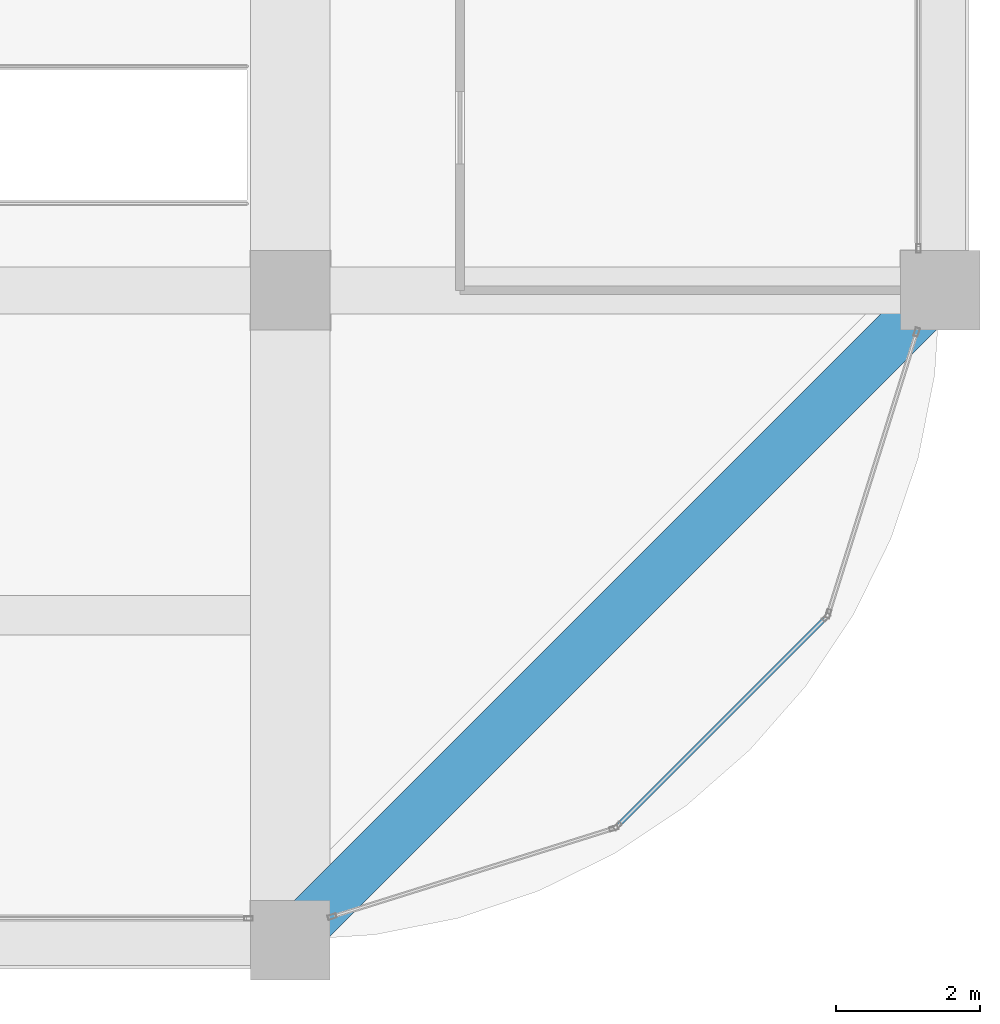
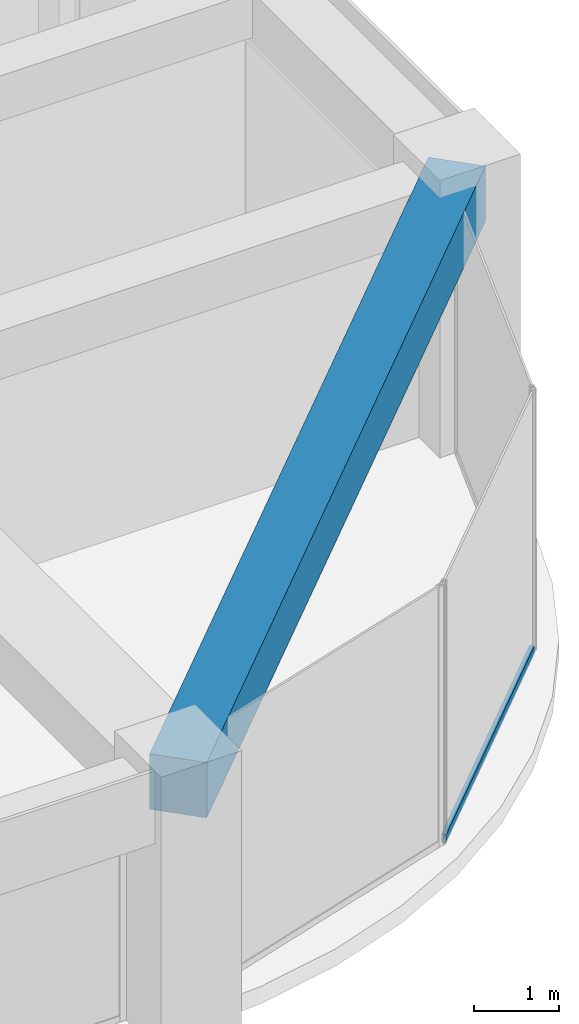
# One storey, part 19 of 44: 1 beam, 1 member, 1 element without a shape of its own.
"""IFC4 building model written with IfcOpenShell, lengths in metres."""

from ifc_helpers import new_model, si_unit, direction, frame, origin, origin_2d, place, context, subcontext, project, spatial, rectangle, hollow_rectangle, extrude, material, material_profile, profile_set, type_object, element, aggregate, save


model = new_model("IFC4")

# Units and contexts
model_context = context("Model", 3, precision=1e-05, world=origin(), true_north=direction((0.0, 1.0)))
body_context = subcontext(model_context, "Body", "Model", "MODEL_VIEW")
ifc_project = project(units=[si_unit("LENGTHUNIT", "METRE"), si_unit("AREAUNIT", "SQUARE_METRE"), si_unit("VOLUMEUNIT", "CUBIC_METRE"), si_unit("PLANEANGLEUNIT", "RADIAN"), si_unit("MASSUNIT", "GRAM", prefix="KILO")], contexts=[model_context])

# Site, building, storey
site_placement = place(None, origin())
site = spatial("IfcSite", under=ifc_project, at=site_placement, CompositionType="ELEMENT")
building_placement = place(site_placement, origin())
building = spatial("IfcBuilding", under=site, at=building_placement, Name="Zorevar Civic Tower", CompositionType="ELEMENT")
storey_placement = place(building_placement, frame((0.0, 0.0, 255.39990234375)))
storey = spatial("IfcBuildingStorey", under=building, at=storey_placement, Name="L62", CompositionType="ELEMENT", Elevation=255.39990234375)

# Curtain wall, member
ifc_material_1 = material(Name="Dark grey solar-control glass in black aluminium frame", Category="aluminium")
curtain_wall_type = type_object("IfcCurtainWallType", Name="Curtain wall CW5 top zone", PredefinedType="NOTDEFINED", material=ifc_material_1)
curtain_wall_placement = place(storey_placement, origin())
curtain_wall = element("IfcCurtainWall", 1, at=curtain_wall_placement, inside=storey, type_object=curtain_wall_type, Name="CW5 L62", PredefinedType="NOTDEFINED")
ifc_material_2 = material(Name="Aluminium, black anodised", Category="aluminium")
ifc_material_profile_1 = material_profile(ifc_material_2, hollow_rectangle(XDim=0.06005859375, YDim=0.1201171875, WallThickness=0.0029296875, at=origin_2d()), Name="AL 120x60x3")
ifc_profile_set_1 = profile_set([ifc_material_profile_1], Name="Aluminium, black anodised")
member_type = type_object("IfcMemberType", Name="CW5 transom AL 120x60x3", PredefinedType="USERDEFINED", material=ifc_profile_set_1)
member_placement = place(storey_placement, frame((49.55029296875, 1.6015625, 0.030029296875), z_axis=(0.707106781187, 0.707106781187, 0.0), x_axis=(-0.707106781187, 0.707106781187, 0.0)))
member = element("IfcMember", 2, at=member_placement, type_object=member_type, Name="CW5 sill transom", ObjectType="TRANSOM", PredefinedType="USERDEFINED", context=body_context, shape_type="SweptSolid", body=[
    extrude(hollow_rectangle(XDim=0.06005859375, YDim=0.1201171875, WallThickness=0.0029296875, at=origin_2d()), origin(), (0.0, 0.0, 1.0), 4.02783203125),
])
aggregate(curtain_wall, [member])

# Beam
ifc_material_3 = material(Name="Concrete C50/60", Category="concrete")
ifc_material_profile_2 = material_profile(ifc_material_3, rectangle(XDim=0.699951171875, YDim=0.800048828125, at=origin_2d()), Name="RC 700x800")
ifc_profile_set_2 = profile_set([ifc_material_profile_2], Name="Concrete C50/60")
beam_type = type_object("IfcBeamType", Name="Edge beam RC 700x800", PredefinedType="SPANDREL", material=ifc_profile_set_2)
beam_placement = place(storey_placement, frame((45.0, 0.0, 3.35009765625), z_axis=(0.707106781187, 0.707106781187, 0.0), x_axis=(-0.707106781187, 0.707106781187, 0.0)))
element("IfcBeam", 3, at=beam_placement, inside=storey, type_object=beam_type, Name="Corner edge beam L63", PredefinedType="SPANDREL", context=body_context, shape_type="SweptSolid", body=[
    extrude(rectangle(XDim=0.699951171875, YDim=0.800048828125, at=origin_2d()), origin(), (0.0, 0.0, 1.0), 12.72802734375),
])

save(model, "model.ifc")
